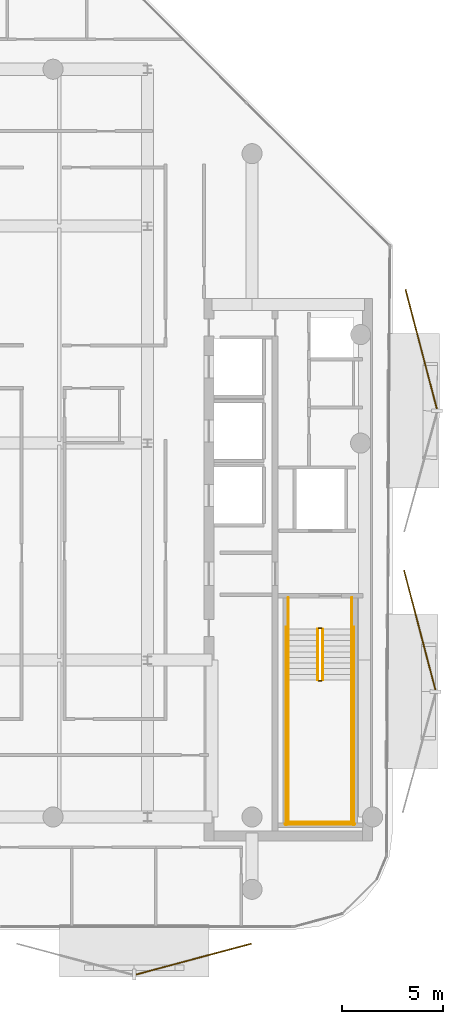
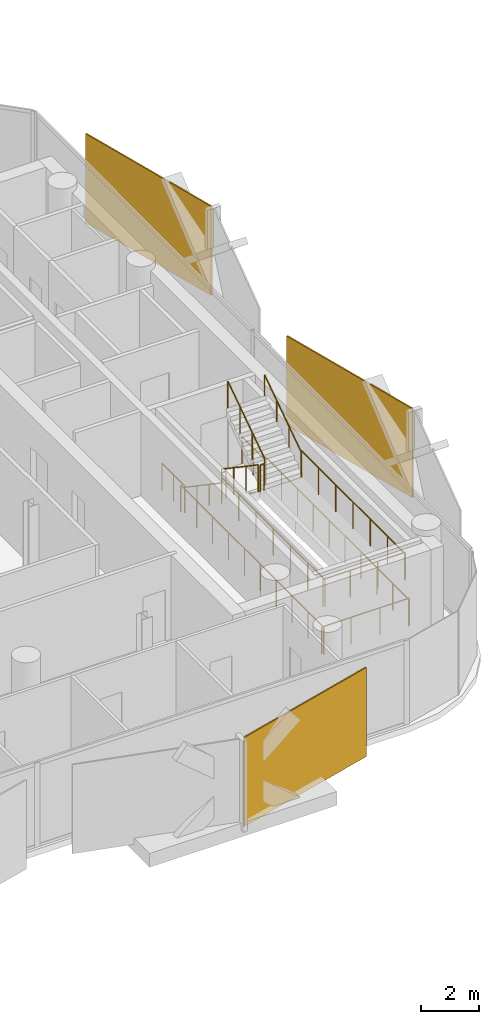
# One storey, part 16 of 17: 14 railings, 3 coverings.
"""IFC4 building model written with IfcOpenShell, lengths in metres."""

from ifc_helpers import new_model, si_unit, direction, frame, origin, origin_2d, place, context, subcontext, project, spatial, rectangle, circle, extrude, material, layer, layer_set, type_object, element, save


model = new_model("IFC4")

# Units and contexts
model_context = context("Model", 3, precision=1e-05, world=origin(), true_north=direction((0.0, 1.0)))
body_context = subcontext(model_context, "Body", "Model", "MODEL_VIEW")
ifc_project = project(units=[si_unit("LENGTHUNIT", "METRE"), si_unit("AREAUNIT", "SQUARE_METRE"), si_unit("VOLUMEUNIT", "CUBIC_METRE"), si_unit("PLANEANGLEUNIT", "RADIAN"), si_unit("MASSUNIT", "GRAM", prefix="KILO")], contexts=[model_context])

# Site, building, storey
site_placement = place(None, origin())
site = spatial("IfcSite", under=ifc_project, at=site_placement, CompositionType="ELEMENT")
building_placement = place(site_placement, origin())
building = spatial("IfcBuilding", under=site, at=building_placement, Name="Khairoan Windgate Tower", CompositionType="ELEMENT")
storey_placement = place(building_placement, frame((0.0, 0.0, 304.199951171875)))
storey = spatial("IfcBuildingStorey", under=building, at=storey_placement, Name="L73", CompositionType="ELEMENT", Elevation=304.199951171875)

# Coverings
ifc_material_1 = material(Name="Anodised Bronze Aluminium 6063-T6", Category="aluminium")
ifc_layer = layer(ifc_material_1, 0.054931640625, Name="Anodised Bronze Aluminium 6063-T6")
ifc_layer_set = layer_set([ifc_layer], Name="Anodised Bronze Aluminium 6063-T6")
covering_type = type_object("IfcCoveringType", Name="Perforated Bronze-Ceramic Folded Solar Screen Cladding BSC-1", PredefinedType="CLADDING", material=ifc_layer_set)
covering_placement = place(storey_placement, frame((11.494873046875, -25.67041015625, -0.10009765625), z_axis=(0.0, 0.0, 1.0), x_axis=(-0.965925826289, -0.258819045103, 0.0)))
element("IfcCovering", 1, at=covering_placement, inside=storey, type_object=covering_type, Name="L73 Folded Bronze Solar Screen Facet 510L", PredefinedType="CLADDING", context=body_context, shape_type="SweptSolid", body=[
    extrude(rectangle(XDim=5.947021484375, YDim=0.054931640625, at=origin_2d()), origin(), (0.0, 0.0, 1.0), 3.739990234375),
])
for number, where, z_axis, x_axis, name in (
    (2, (22.81689453125, 4.668212890625, -0.10009765625), (0.0, 0.0, 1.0), (0.25358912065, -0.96731202716, 0.0), "L73 Folded Bronze Solar Screen Facet 516L"),
    (3, (22.74169921875, -9.298583984375, -0.10009765625), (0.0, 0.0, 1.0), (0.25358912065, -0.96731202716, 0.0), "L73 Folded Bronze Solar Screen Facet 517L"),
):
    element("IfcCovering", number, at=place(storey_placement, frame(where, z_axis=z_axis, x_axis=x_axis)), inside=storey, type_object=covering_type, Name=name, PredefinedType="CLADDING", context=body_context, shape_type="SweptSolid", body=[
        extrude(rectangle(XDim=6.14599609375, YDim=0.054931640625, at=origin_2d()), origin(), (0.0, 0.0, 1.0), 3.739990234375),
    ])

# Railings
ifc_material_2 = material(Name="Anodised Bronze Aluminium 6063-T6", Category="aluminium")
railing_type_1 = type_object("IfcRailingType", Name="Stair Wall Handrail SHR-900", PredefinedType="HANDRAIL", material=ifc_material_2)
railing_1_placement = place(storey_placement, frame((16.199951171875, -9.260009765625, 0.18994140625)))
element("IfcRailing", 4, at=railing_1_placement, inside=storey, type_object=railing_type_1, Name="L73 ST1 stair handrail 1", PredefinedType="HANDRAIL", context=body_context, shape_type="SweptSolid", body=[
    extrude(circle(Radius=0.02392578125, at=origin_2d()), frame((0.0, 0.0, 0.8759765625), z_axis=(0.0, -0.82744650838, 0.561544544778), x_axis=(1.0, 0.0, 0.0)), (0.0, 0.0, 1.0), 3.045654296875),
    extrude(circle(Radius=0.02099609375, at=origin_2d()), origin(), (0.0, 0.0, 1.0), 0.851806640625),
    extrude(circle(Radius=0.02099609375, at=origin_2d()), frame((0.0, -0.840087890625, 0.570068359375)), (0.0, 0.0, 1.0), 0.851806640625),
    extrude(circle(Radius=0.02099609375, at=origin_2d()), frame((0.0, -1.679931640625, 1.14013671875)), (0.0, 0.0, 1.0), 0.851806640625),
    extrude(circle(Radius=0.02099609375, at=origin_2d()), frame((0.0, -2.52001953125, 1.710205078125)), (0.0, 0.0, 1.0), 0.851806640625),
])
railing_2_placement = place(storey_placement, frame((19.3701171875, -11.780029296875, 2.090087890625)))
element("IfcRailing", 5, at=railing_2_placement, inside=storey, type_object=railing_type_1, Name="L73 ST1 stair handrail 2", PredefinedType="HANDRAIL", context=body_context, shape_type="SweptSolid", body=[
    extrude(circle(Radius=0.02392578125, at=origin_2d()), frame((0.0, 0.0, 0.8759765625), z_axis=(0.0, 0.827483756001, 0.561489655786), x_axis=(-1.0, 0.0, 0.0)), (0.0, 0.0, 1.0), 3.04541015625),
    extrude(circle(Radius=0.02099609375, at=origin_2d()), origin(), (0.0, 0.0, 1.0), 0.851806640625),
    extrude(circle(Radius=0.02099609375, at=origin_2d()), frame((0.0, 0.840087890625, 0.570068359375)), (0.0, 0.0, 1.0), 0.851806640625),
    extrude(circle(Radius=0.02099609375, at=origin_2d()), frame((0.0, 1.679931640625, 1.139892578125)), (0.0, 0.0, 1.0), 0.851806640625),
    extrude(circle(Radius=0.02099609375, at=origin_2d()), frame((0.0, 2.52001953125, 1.7099609375)), (0.0, 0.0, 1.0), 0.851806640625),
])
ifc_material_3 = material(Name="Steel S355", Category="steel")
railing_type_2 = type_object("IfcRailingType", Name="Stairwell Safety Guardrail SGR-1150", PredefinedType="GUARDRAIL", material=ifc_material_3)
railing_3_placement = place(storey_placement, frame((17.659912109375, -9.260009765625, 0.18994140625)))
element("IfcRailing", 6, at=railing_3_placement, inside=storey, type_object=railing_type_2, Name="L73 ST1 stair guard 1", PredefinedType="GUARDRAIL", context=body_context, shape_type="SweptSolid", body=[
    extrude(circle(Radius=0.02392578125, at=origin_2d()), frame((0.0, 0.0, 1.1259765625), z_axis=(0.0, -0.82744650838, 0.561544544778), x_axis=(1.0, 0.0, 0.0)), (0.0, 0.0, 1.0), 3.045654296875),
    extrude(circle(Radius=0.02099609375, at=origin_2d()), origin(), (0.0, 0.0, 1.0), 1.101806640625),
    extrude(circle(Radius=0.02099609375, at=origin_2d()), frame((0.0, -0.840087890625, 0.570068359375)), (0.0, 0.0, 1.0), 1.101806640625),
    extrude(circle(Radius=0.02099609375, at=origin_2d()), frame((0.0, -1.679931640625, 1.14013671875)), (0.0, 0.0, 1.0), 1.101806640625),
    extrude(circle(Radius=0.02099609375, at=origin_2d()), frame((0.0, -2.52001953125, 1.710205078125)), (0.0, 0.0, 1.0), 1.101806640625),
])
railing_4_placement = place(storey_placement, frame((17.7099609375, -11.830078125, 1.900146484375)))
element("IfcRailing", 7, at=railing_4_placement, inside=storey, type_object=railing_type_2, Name="L73 ST1 stair guard 2", PredefinedType="GUARDRAIL", context=body_context, shape_type="SweptSolid", body=[
    extrude(circle(Radius=0.02392578125, at=origin_2d()), frame((0.0, 0.0, 1.1259765625), z_axis=(1.0, 0.0, 0.0), x_axis=(0.0, 1.0, 0.0)), (0.0, 0.0, 1.0), 0.150146484375),
    extrude(circle(Radius=0.02099609375, at=origin_2d()), origin(), (0.0, 0.0, 1.0), 1.101806640625),
    extrude(circle(Radius=0.02099609375, at=origin_2d()), frame((0.150146484375, 0.0, 0.0)), (0.0, 0.0, 1.0), 1.101806640625),
])
for number, where, name in (
    (8, (16.199951171875, -11.780029296875, 1.900146484375), "L73 ST1 stair guard 3"),
    (9, (19.3701171875, -11.780029296875, 1.900146484375), "L73 ST1 stair guard 4"),
):
    element("IfcRailing", number, at=place(storey_placement, frame(where)), inside=storey, type_object=railing_type_2, Name=name, PredefinedType="GUARDRAIL", context=body_context, shape_type="SweptSolid", body=[
        extrude(circle(Radius=0.02392578125, at=origin_2d()), frame((0.0, 0.0, 1.1259765625), z_axis=(0.0, -1.0, 0.0), x_axis=(1.0, 0.0, 0.0)), (0.0, 0.0, 1.0), 7.119873046875),
        extrude(circle(Radius=0.02099609375, at=origin_2d()), origin(), (0.0, 0.0, 1.0), 1.101806640625),
        extrude(circle(Radius=0.02099609375, at=origin_2d()), frame((0.0, -1.1865234375, 0.0)), (0.0, 0.0, 1.0), 1.101806640625),
        extrude(circle(Radius=0.02099609375, at=origin_2d()), frame((0.0, -2.373291015625, 0.0)), (0.0, 0.0, 1.0), 1.101806640625),
        extrude(circle(Radius=0.02099609375, at=origin_2d()), frame((0.0, -3.56005859375, 0.0)), (0.0, 0.0, 1.0), 1.101806640625),
        extrude(circle(Radius=0.02099609375, at=origin_2d()), frame((0.0, -4.74658203125, 0.0)), (0.0, 0.0, 1.0), 1.101806640625),
        extrude(circle(Radius=0.02099609375, at=origin_2d()), frame((0.0, -5.93310546875, 0.0)), (0.0, 0.0, 1.0), 1.101806640625),
        extrude(circle(Radius=0.02099609375, at=origin_2d()), frame((0.0, -7.119873046875, 0.0)), (0.0, 0.0, 1.0), 1.101806640625),
    ])
railing_5_placement = place(storey_placement, frame((16.14990234375, -18.85009765625, 1.900146484375)))
element("IfcRailing", 10, at=railing_5_placement, inside=storey, type_object=railing_type_2, Name="L73 ST1 stair guard 5", PredefinedType="GUARDRAIL", context=body_context, shape_type="SweptSolid", body=[
    extrude(circle(Radius=0.02392578125, at=origin_2d()), frame((0.0, 0.0, 1.1259765625), z_axis=(1.0, 0.0, 0.0), x_axis=(0.0, 1.0, 0.0)), (0.0, 0.0, 1.0), 3.27001953125),
    extrude(circle(Radius=0.02099609375, at=origin_2d()), origin(), (0.0, 0.0, 1.0), 1.101806640625),
    extrude(circle(Radius=0.02099609375, at=origin_2d()), frame((1.090087890625, 0.0, 0.0)), (0.0, 0.0, 1.0), 1.101806640625),
    extrude(circle(Radius=0.02099609375, at=origin_2d()), frame((2.179931640625, 0.0, 0.0)), (0.0, 0.0, 1.0), 1.101806640625),
    extrude(circle(Radius=0.02099609375, at=origin_2d()), frame((3.27001953125, 0.0, 0.0)), (0.0, 0.0, 1.0), 1.101806640625),
])
railing_6_placement = place(storey_placement, frame((17.909912109375, -11.780029296875, 2.090087890625)))
element("IfcRailing", 11, at=railing_6_placement, inside=storey, type_object=railing_type_2, Name="L73 ST1 stair guard 6", PredefinedType="GUARDRAIL", context=body_context, shape_type="SweptSolid", body=[
    extrude(circle(Radius=0.02392578125, at=origin_2d()), frame((0.0, 0.0, 1.1259765625), z_axis=(0.0, 0.827483756001, 0.561489655786), x_axis=(-1.0, 0.0, 0.0)), (0.0, 0.0, 1.0), 3.04541015625),
    extrude(circle(Radius=0.02099609375, at=origin_2d()), origin(), (0.0, 0.0, 1.0), 1.101806640625),
    extrude(circle(Radius=0.02099609375, at=origin_2d()), frame((0.0, 0.840087890625, 0.570068359375)), (0.0, 0.0, 1.0), 1.101806640625),
    extrude(circle(Radius=0.02099609375, at=origin_2d()), frame((0.0, 1.679931640625, 1.139892578125)), (0.0, 0.0, 1.0), 1.101806640625),
    extrude(circle(Radius=0.02099609375, at=origin_2d()), frame((0.0, 2.52001953125, 1.7099609375)), (0.0, 0.0, 1.0), 1.101806640625),
])
railing_7_placement = place(storey_placement, frame((17.7099609375, -9.2099609375, 0.0)))
element("IfcRailing", 12, at=railing_7_placement, inside=storey, type_object=railing_type_2, Name="L73 ST1 stair guard 7", PredefinedType="GUARDRAIL", context=body_context, shape_type="SweptSolid", body=[
    extrude(circle(Radius=0.02392578125, at=origin_2d()), frame((0.0, 0.0, 1.1259765625), z_axis=(1.0, 0.0, 0.0), x_axis=(0.0, 1.0, 0.0)), (0.0, 0.0, 1.0), 0.150146484375),
    extrude(circle(Radius=0.02099609375, at=origin_2d()), origin(), (0.0, 0.0, 1.0), 1.101806640625),
    extrude(circle(Radius=0.02099609375, at=origin_2d()), frame((0.150146484375, 0.0, 0.0)), (0.0, 0.0, 1.0), 1.101806640625),
])
for number, where, name in (
    (13, (16.199951171875, -7.699951171875, 0.0), "L73 ST1 stair guard 8"),
    (14, (19.3701171875, -7.699951171875, 0.0), "L73 ST1 stair guard 9"),
):
    element("IfcRailing", number, at=place(storey_placement, frame(where)), inside=storey, type_object=railing_type_2, Name=name, PredefinedType="GUARDRAIL", context=body_context, shape_type="SweptSolid", body=[
        extrude(circle(Radius=0.02392578125, at=origin_2d()), frame((0.0, 0.0, 1.1259765625), z_axis=(0.0, -1.0, 0.0), x_axis=(1.0, 0.0, 0.0)), (0.0, 0.0, 1.0), 1.56005859375),
        extrude(circle(Radius=0.02099609375, at=origin_2d()), origin(), (0.0, 0.0, 1.0), 1.101806640625),
        extrude(circle(Radius=0.02099609375, at=origin_2d()), frame((0.0, -0.780029296875, 0.0)), (0.0, 0.0, 1.0), 1.101806640625),
        extrude(circle(Radius=0.02099609375, at=origin_2d()), frame((0.0, -1.56005859375, 0.0)), (0.0, 0.0, 1.0), 1.101806640625),
    ])
for number, where, name in (
    (15, (16.10009765625, -9.159912109375, 0.0), "L73 ST1 stair guard 10"),
    (16, (19.469970703125, -9.159912109375, 0.0), "L73 ST1 stair guard 11"),
):
    element("IfcRailing", number, at=place(storey_placement, frame(where)), inside=storey, type_object=railing_type_2, Name=name, PredefinedType="GUARDRAIL", context=body_context, shape_type="SweptSolid", body=[
        extrude(circle(Radius=0.02392578125, at=origin_2d()), frame((0.0, 0.0, 1.1259765625), z_axis=(0.0, -1.0, 0.0), x_axis=(1.0, 0.0, 0.0)), (0.0, 0.0, 1.0), 9.840087890625),
        extrude(circle(Radius=0.02099609375, at=origin_2d()), origin(), (0.0, 0.0, 1.0), 1.101806640625),
        extrude(circle(Radius=0.02099609375, at=origin_2d()), frame((0.0, -1.09326171875, 0.0)), (0.0, 0.0, 1.0), 1.101806640625),
        extrude(circle(Radius=0.02099609375, at=origin_2d()), frame((0.0, -2.186767578125, 0.0)), (0.0, 0.0, 1.0), 1.101806640625),
        extrude(circle(Radius=0.02099609375, at=origin_2d()), frame((0.0, -3.280029296875, 0.0)), (0.0, 0.0, 1.0), 1.101806640625),
        extrude(circle(Radius=0.02099609375, at=origin_2d()), frame((0.0, -4.373291015625, 0.0)), (0.0, 0.0, 1.0), 1.101806640625),
        extrude(circle(Radius=0.02099609375, at=origin_2d()), frame((0.0, -5.466796875, 0.0)), (0.0, 0.0, 1.0), 1.101806640625),
        extrude(circle(Radius=0.02099609375, at=origin_2d()), frame((0.0, -6.56005859375, 0.0)), (0.0, 0.0, 1.0), 1.101806640625),
        extrude(circle(Radius=0.02099609375, at=origin_2d()), frame((0.0, -7.6533203125, 0.0)), (0.0, 0.0, 1.0), 1.101806640625),
        extrude(circle(Radius=0.02099609375, at=origin_2d()), frame((0.0, -8.746826171875, 0.0)), (0.0, 0.0, 1.0), 1.101806640625),
        extrude(circle(Radius=0.02099609375, at=origin_2d()), frame((0.0, -9.840087890625, 0.0)), (0.0, 0.0, 1.0), 1.101806640625),
    ])
railing_8_placement = place(storey_placement, frame((16.050048828125, -18.949951171875, 0.0)))
element("IfcRailing", 17, at=railing_8_placement, inside=storey, type_object=railing_type_2, Name="L73 ST1 stair guard 12", PredefinedType="GUARDRAIL", context=body_context, shape_type="SweptSolid", body=[
    extrude(circle(Radius=0.02392578125, at=origin_2d()), frame((0.0, 0.0, 1.1259765625), z_axis=(1.0, 0.0, 0.0), x_axis=(0.0, 1.0, 0.0)), (0.0, 0.0, 1.0), 3.469970703125),
    extrude(circle(Radius=0.02099609375, at=origin_2d()), origin(), (0.0, 0.0, 1.0), 1.101806640625),
    extrude(circle(Radius=0.02099609375, at=origin_2d()), frame((1.15673828125, 0.0, 0.0)), (0.0, 0.0, 1.0), 1.101806640625),
    extrude(circle(Radius=0.02099609375, at=origin_2d()), frame((2.313232421875, 0.0, 0.0)), (0.0, 0.0, 1.0), 1.101806640625),
    extrude(circle(Radius=0.02099609375, at=origin_2d()), frame((3.469970703125, 0.0, 0.0)), (0.0, 0.0, 1.0), 1.101806640625),
])

save(model, "model.ifc")
